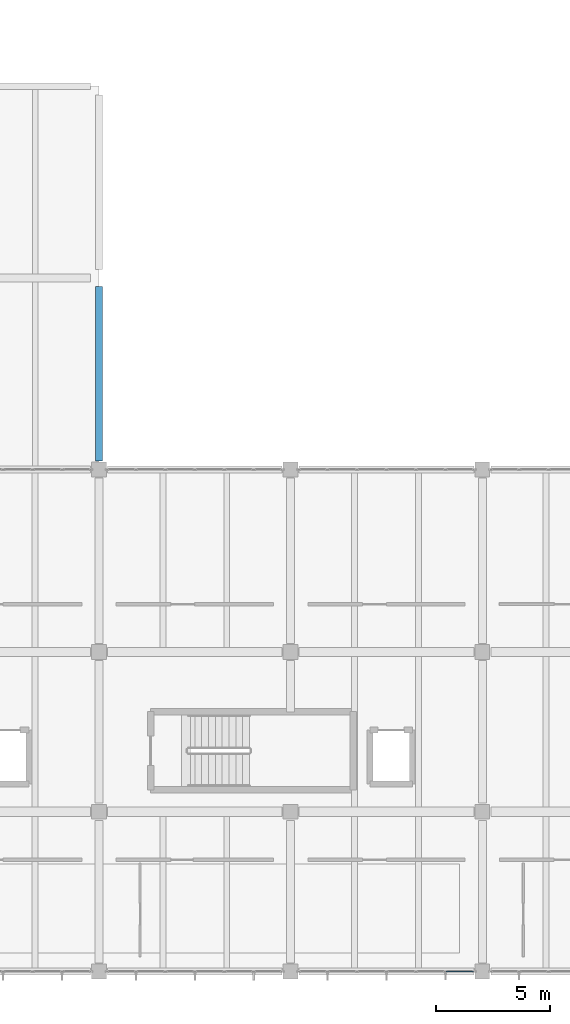
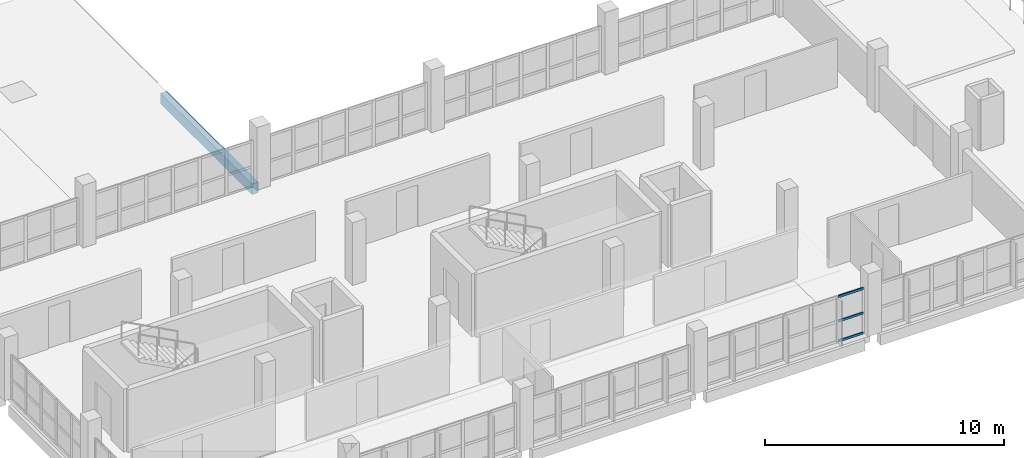
# One storey, part 14 of 33: 3 members, 1 beam, 1 element without a shape of its own.
"""IFC4 building model written with IfcOpenShell, lengths in metres."""

from ifc_helpers import new_model, si_unit, direction, frame, origin, origin_2d, place, context, subcontext, project, spatial, rectangle, hollow_rectangle, extrude, material, layer, layer_set, material_profile, profile_set, type_object, element, aggregate, save


model = new_model("IFC4")

# Units and contexts
model_context = context("Model", 3, precision=1e-05, world=origin(), true_north=direction((0.0, 1.0)))
body_context = subcontext(model_context, "Body", "Model", "MODEL_VIEW")
ifc_project = project(units=[si_unit("LENGTHUNIT", "METRE"), si_unit("AREAUNIT", "SQUARE_METRE"), si_unit("VOLUMEUNIT", "CUBIC_METRE"), si_unit("PLANEANGLEUNIT", "RADIAN"), si_unit("MASSUNIT", "GRAM", prefix="KILO"), si_unit("THERMODYNAMICTEMPERATUREUNIT", "KELVIN"), si_unit("POWERUNIT", "WATT")], contexts=[model_context])

# Site, building, storey
site_placement = place(None, origin())
site = spatial("IfcSite", under=ifc_project, at=site_placement, CompositionType="ELEMENT")
building_placement = place(site_placement, origin())
building = spatial("IfcBuilding", under=site, at=building_placement, Name="Mavoryth Pier Ferry Terminal", CompositionType="ELEMENT")
storey_placement = place(building_placement, frame((0.0, 0.0, 13.1201171875)))
storey = spatial("IfcBuildingStorey", under=building, at=storey_placement, Name="L03", CompositionType="ELEMENT", Elevation=13.1201171875)

# Beam
ifc_material_1 = material(Name="Concrete C35/45", Category="concrete")
ifc_material_profile_1 = material_profile(ifc_material_1, rectangle(XDim=0.300048828125, YDim=0.5400390625, at=origin_2d()), Name="RC 300x540", Category="concrete")
ifc_profile_set_1 = profile_set([ifc_material_profile_1], Name="Concrete C35/45 - RC 300x540")
beam_type = type_object("IfcBeamType", Name="Spandrel-RC-300x540", PredefinedType="SPANDREL", material=ifc_profile_set_1)
beam_placement = place(storey_placement, frame((58.800048828125, 22.375, -0.43017578125), z_axis=(0.0, 1.0, 0.0), x_axis=(-1.0, 0.0, 0.0)))
element("IfcBeam", 1, at=beam_placement, inside=storey, type_object=beam_type, Name="Beam B03-SP02-1318", PredefinedType="SPANDREL", context=body_context, shape_type="SweptSolid", body=[
    extrude(rectangle(XDim=0.300048828125, YDim=0.5400390625, at=origin_2d()), origin(), (0.0, 0.0, 1.0), 7.64990234375),
])

# Curtain wall, members
ifc_material_2 = material(Name="Anodised Aluminium and Solar-Control Low-E Glass", Category="aluminium")
ifc_layer = layer(ifc_material_2, 0.239990234375, Name="Anodised Aluminium and Solar-Control Low-E Glass", Category="aluminium")
ifc_layer_set = layer_set([ifc_layer], Name="Anodised Aluminium and Solar-Control Low-E Glass - CW-Operations-Mod1200")
curtain_wall_type = type_object("IfcCurtainWallType", Name="CW-Operations-Mod1200", PredefinedType="USERDEFINED", material=ifc_layer_set)
curtain_wall_placement = place(storey_placement, origin())
curtain_wall = element("IfcCurtainWall", 2, at=curtain_wall_placement, inside=storey, type_object=curtain_wall_type, Name="Curtain Wall CW-0322-142", ObjectType="UNITISED CURTAIN WALL", PredefinedType="USERDEFINED")
ifc_material_3 = material(Name="Anodised Aluminium EN AW-6063", Category="aluminium")
ifc_material_profile_2 = material_profile(ifc_material_3, hollow_rectangle(XDim=0.06005859375, YDim=0.125, WallThickness=0.00390625, InnerFilletRadius=0.00390625, OuterFilletRadius=0.008056640625, at=origin_2d()), Name="AL-TRAN 125x60x4", Category="aluminium")
ifc_profile_set_2 = profile_set([ifc_material_profile_2], Name="Anodised Aluminium EN AW-6063 - AL-TRAN 125x60x4")
member_type = type_object("IfcMemberType", Name="Transom-Alum-125x60", PredefinedType="USERDEFINED", material=ifc_profile_set_2)
member_1_placement = place(storey_placement, frame((74.013427734375, 0.0, 0.02978515625), z_axis=(1.0, 0.0, 0.0), x_axis=(0.0, 1.0, 0.0)))
member_1 = element("IfcMember", 3, at=member_1_placement, type_object=member_type, Name="CW06 transom 6.1", ObjectType="TRANSOM", PredefinedType="USERDEFINED", context=body_context, shape_type="SweptSolid", body=[
    extrude(hollow_rectangle(XDim=0.06005859375, YDim=0.125, WallThickness=0.00390625, InnerFilletRadius=0.00390625, OuterFilletRadius=0.008056640625, at=origin_2d()), origin(), (0.0, 0.0, 1.0), 1.20166015625),
])
member_2_placement = place(storey_placement, frame((74.013427734375, 0.0, 1.0498046875), z_axis=(1.0, 0.0, 0.0), x_axis=(0.0, 1.0, 0.0)))
member_2 = element("IfcMember", 4, at=member_2_placement, type_object=member_type, Name="CW06 transom 6.2", ObjectType="TRANSOM", PredefinedType="USERDEFINED", context=body_context, shape_type="SweptSolid", body=[
    extrude(hollow_rectangle(XDim=0.06005859375, YDim=0.125, WallThickness=0.00390625, InnerFilletRadius=0.00390625, OuterFilletRadius=0.008056640625, at=origin_2d()), origin(), (0.0, 0.0, 1.0), 1.20166015625),
])
member_3_placement = place(storey_placement, frame((74.013427734375, 0.0, 2.294921875), z_axis=(1.0, 0.0, 0.0), x_axis=(0.0, 1.0, 0.0)))
member_3 = element("IfcMember", 5, at=member_3_placement, type_object=member_type, Name="CW06 transom 6.3", ObjectType="TRANSOM", PredefinedType="USERDEFINED", context=body_context, shape_type="SweptSolid", body=[
    extrude(hollow_rectangle(XDim=0.06005859375, YDim=0.125, WallThickness=0.00390625, InnerFilletRadius=0.00390625, OuterFilletRadius=0.008056640625, at=origin_2d()), origin(), (0.0, 0.0, 1.0), 1.20166015625),
])
aggregate(curtain_wall, [member_1, member_2, member_3])

save(model, "model.ifc")
